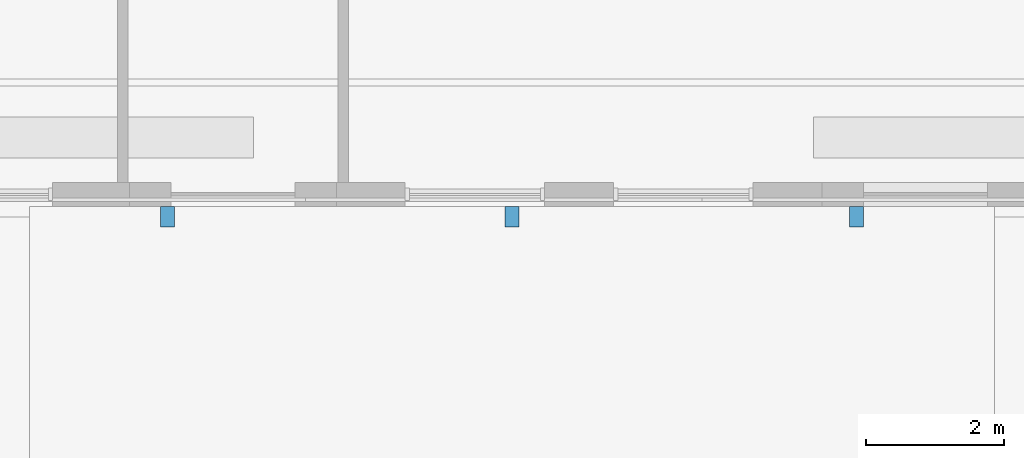
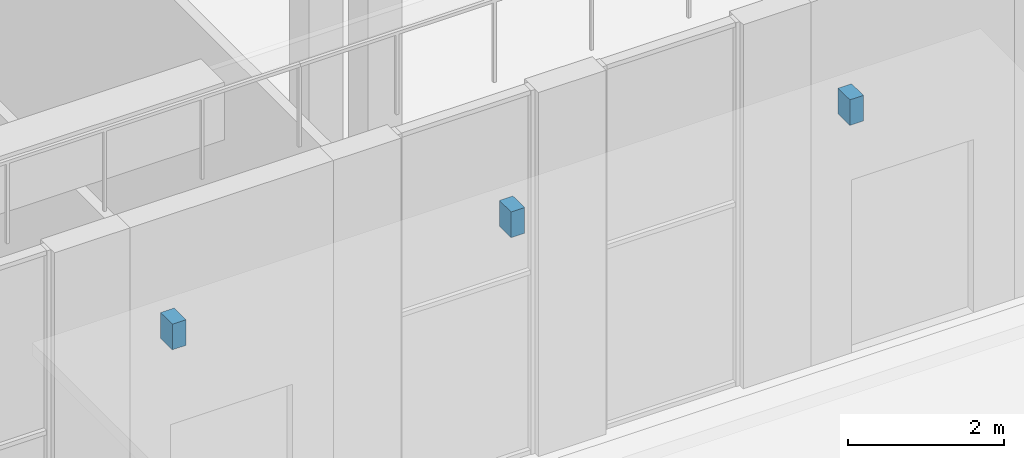
# One storey, part 25 of 32: 3 discrete accessories.
"""IFC4 building model written with IfcOpenShell, lengths in metres."""

from ifc_helpers import new_model, si_unit, direction, frame, origin, origin_2d, place, context, subcontext, project, spatial, rectangle, extrude, element, save


model = new_model("IFC4")

# Units and contexts
model_context = context("Model", 3, precision=1e-05, world=origin(), true_north=direction((0.0, 1.0)))
body_context = subcontext(model_context, "Body", "Model", "MODEL_VIEW")
ifc_project = project(units=[si_unit("LENGTHUNIT", "METRE"), si_unit("AREAUNIT", "SQUARE_METRE"), si_unit("VOLUMEUNIT", "CUBIC_METRE"), si_unit("PLANEANGLEUNIT", "RADIAN"), si_unit("MASSUNIT", "GRAM", prefix="KILO")], contexts=[model_context])

# Site, building, storey
site_placement = place(None, origin())
site = spatial("IfcSite", under=ifc_project, at=site_placement, CompositionType="ELEMENT")
building_placement = place(site_placement, origin())
building = spatial("IfcBuilding", under=site, at=building_placement, Name="Torre Triforio", CompositionType="ELEMENT")
storey_placement = place(building_placement, origin())
storey = spatial("IfcBuildingStorey", under=building, at=storey_placement, Name="L00", CompositionType="ELEMENT", Elevation=0.0)

# Discrete accessories
for number, where, z_axis, x_axis, name in (
    (1, (-5.0, -44.0, 3.800048828125), (0.0, 0.0, 1.0), (1.0, 0.0, 0.0), "Canopy bracket 1"),
    (2, (0.0, -44.0, 3.800048828125), (0.0, 0.0, 1.0), (1.0, 0.0, 0.0), "Canopy bracket 2"),
    (3, (5.0, -44.0, 3.800048828125), (0.0, 0.0, 1.0), (1.0, 0.0, 0.0), "Canopy bracket 3"),
):
    element("IfcDiscreteAccessory", number, at=place(storey_placement, frame(where, z_axis=z_axis, x_axis=x_axis)), inside=storey, Name=name, PredefinedType="BRACKET", context=body_context, shape_type="SweptSolid", body=[
        extrude(rectangle(XDim=0.199951171875, YDim=0.300048828125, at=origin_2d()), origin(), (0.0, 0.0, 1.0), 0.39990234375),
    ])

save(model, "model.ifc")
